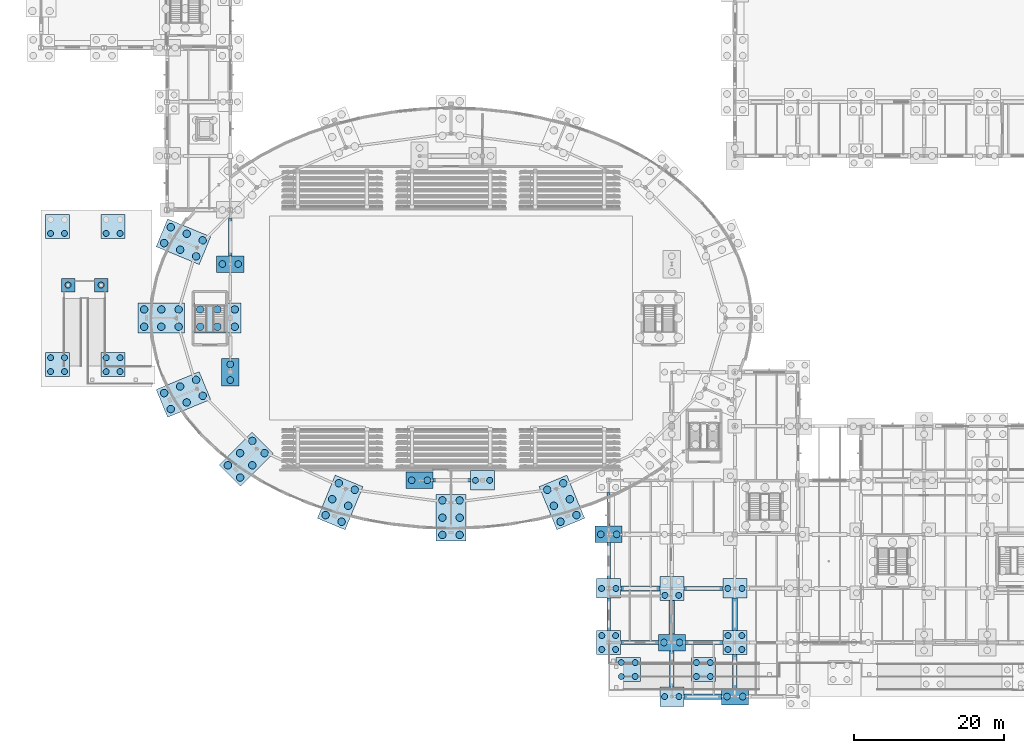
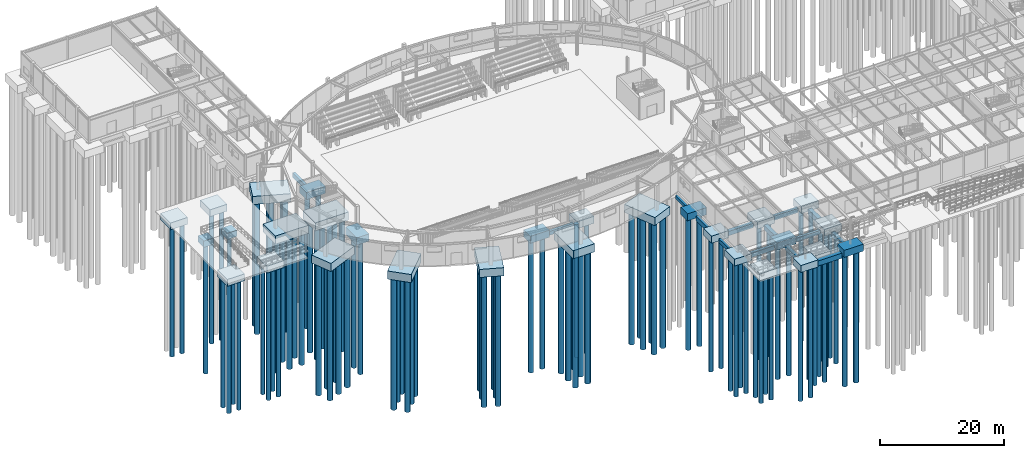
# One storey, part 1 of 93: 100 piles, 43 footings.
"""IFC4 building model written with IfcOpenShell, lengths in metres."""

import ifcopenshell
import ifcopenshell.guid

model = None  # the IFC model being written
_history = None  # IfcOwnerHistory: only IFC2X3 demands one
_inside = {}  # id of a spatial element -> (the spatial element, [elements in it])
_under = {}  # id of a project, library or spatial element -> (it, [spatial elements below it])
_declared = {}  # id of a project -> (the project, [libraries it declares])
_typed = {}  # id of a type object -> (the type object, [elements of that type])
_made_of = {}  # id of a material, layer set ... -> (it, [elements and type objects made of it])


def new_model(schema):
    """Start an empty IFC model of exactly this schema.

    Asked for "IFC4X3", IfcOpenShell would pick the latest addendum, in which some entities
    have other attributes; the version numbers below select the first issue.
    IFC2X3 requires an IfcOwnerHistory on every rooted entity: one is made here for all.
    """
    global model, _history
    if schema == "IFC4X3":
        model = ifcopenshell.file(schema_version=(4, 3, 0, 0))
    else:
        model = ifcopenshell.file(schema=schema)
    _inside.clear()
    _under.clear()
    _declared.clear()
    _typed.clear()
    _made_of.clear()
    _history = None
    if model.schema == "IFC2X3":
        org = make("IfcOrganization", Name="unknown")
        user = make(
            "IfcPersonAndOrganization",
            ThePerson=make("IfcPerson", FamilyName="unknown"),
            TheOrganization=org,
        )
        app = make(
            "IfcApplication",
            ApplicationDeveloper=org,
            Version="unknown",
            ApplicationFullName="unknown",
            ApplicationIdentifier="unknown",
        )
        _history = make(
            "IfcOwnerHistory",
            OwningUser=user,
            OwningApplication=app,
            ChangeAction="ADDED",
            CreationDate=0,
        )
    return model


def make(cls, **values):
    """One entity of the class cls with the attributes given. An attribute that is None is left unset."""
    return model.create_entity(
        cls, **{name: value for name, value in values.items() if value is not None}
    )


def rooted(cls, **values):
    """An entity with a GlobalId (a new one), such as an element, a storey or a relation."""
    return make(cls, GlobalId=ifcopenshell.guid.new(), OwnerHistory=_history, **values)


def si_unit(unit_type, name, prefix=None):
    """IfcSIUnit, for example si_unit("LENGTHUNIT", "METRE", prefix="MILLI")."""
    return make("IfcSIUnit", UnitType=unit_type, Prefix=prefix, Name=name)


def derived_unit(unit_type, elements):
    """IfcDerivedUnit: a product of units, each with its exponent."""
    return make(
        "IfcDerivedUnit",
        Elements=[
            make("IfcDerivedUnitElement", Unit=unit, Exponent=power)
            for unit, power in elements
        ],
        UnitType=unit_type,
    )


def assignment(units):
    """IfcUnitAssignment: the units of a project."""
    return None if units is None else make("IfcUnitAssignment", Units=units)


def point(xyz):
    """IfcCartesianPoint."""
    return None if xyz is None else make("IfcCartesianPoint", Coordinates=xyz)


def direction(xyz):
    """IfcDirection."""
    return None if xyz is None else make("IfcDirection", DirectionRatios=xyz)


def frame(location, z_axis=None, x_axis=None):
    """IfcAxis2Placement3D, a coordinate frame: its origin and axes. An axis left out is left unset."""
    return make(
        "IfcAxis2Placement3D",
        Location=point(location),
        Axis=direction(z_axis),
        RefDirection=direction(x_axis),
    )


def frame_2d(location, x_axis=None):
    """IfcAxis2Placement2D, a coordinate frame in the plane: its origin and x axis."""
    return make(
        "IfcAxis2Placement2D", Location=point(location), RefDirection=direction(x_axis)
    )


def origin():
    """The frame at (0, 0, 0) with its axes left unset."""
    return frame((0.0, 0.0, 0.0))


def origin_2d():
    """The frame at (0, 0) in the plane with its x axis left unset."""
    return frame_2d((0.0, 0.0))


def place(relative_to, where):
    """IfcLocalPlacement: puts the frame where relative to a parent placement (None: the world)."""
    return make(
        "IfcLocalPlacement", PlacementRelTo=relative_to, RelativePlacement=where
    )


def context(
    kind, dimensions, precision=None, world=None, true_north=None, identifier=None
):
    """IfcGeometricRepresentationContext, for example the 3D "Model" context."""
    return make(
        "IfcGeometricRepresentationContext",
        ContextIdentifier=identifier,
        ContextType=kind,
        CoordinateSpaceDimension=dimensions,
        Precision=precision,
        WorldCoordinateSystem=world,
        TrueNorth=true_north,
    )


def subcontext(parent, identifier, kind, view, scale=None):
    """IfcGeometricRepresentationSubContext, for example "Body" below "Model"."""
    return make(
        "IfcGeometricRepresentationSubContext",
        ContextIdentifier=identifier,
        ContextType=kind,
        ParentContext=parent,
        TargetScale=scale,
        TargetView=view,
    )


def project(units=None, contexts=None):
    """IfcProject with its units and contexts."""
    return rooted(
        "IfcProject",
        Name="project",
        RepresentationContexts=contexts,
        UnitsInContext=assignment(units),
    )


def spatial(cls, under=None, at=None, **own):
    """A site, building, storey or space (cls), placed at a placement, below another one or the project."""
    s = rooted(cls, ObjectPlacement=at, **own)
    if under is not None:
        _under.setdefault(under.id(), (under, []))[1].append(s)
    return s


def profile(cls, at=None, kind="AREA", **sizes):
    """A parametric profile (cls). Its sizes go by their IFC names, for example OverallWidth=200.0."""
    return make(cls, ProfileType=kind, Position=at, **sizes)


def rectangle(**sizes):
    """IfcRectangleProfileDef."""
    return profile("IfcRectangleProfileDef", **sizes)


def circle(**sizes):
    """IfcCircleProfileDef."""
    return profile("IfcCircleProfileDef", **sizes)


def extrude(swept, where, along, depth):
    """IfcExtrudedAreaSolid: the profile swept, set in the frame where, extruded along a direction by depth."""
    return make(
        "IfcExtrudedAreaSolid",
        SweptArea=swept,
        Position=where,
        ExtrudedDirection=direction(along),
        Depth=depth,
    )


def shape(context_of_items, identifier, shape_type, items):
    """IfcShapeRepresentation: the items that make up one representation, for example the "Body"."""
    return make(
        "IfcShapeRepresentation",
        ContextOfItems=context_of_items,
        RepresentationIdentifier=identifier,
        RepresentationType=shape_type,
        Items=items,
    )


def material(Name=None, Category=None):
    """IfcMaterial."""
    return make("IfcMaterial", Name=Name, Category=Category)


def material_profile(
    of_material, cross_section, Name=None, Category=None, Priority=None
):
    """IfcMaterialProfile: a cross section and its material."""
    return make(
        "IfcMaterialProfile",
        Name=Name,
        Material=of_material,
        Profile=cross_section,
        Priority=Priority,
        Category=Category,
    )


def profile_set(profiles, Name=None, composite=None):
    """IfcMaterialProfileSet."""
    return make(
        "IfcMaterialProfileSet",
        Name=Name,
        MaterialProfiles=profiles,
        CompositeProfile=composite,
    )


def made_of(thing, what):
    """Note that an element or type object is made of a material, layer set ...; save() writes the relation."""
    if what is not None:
        _made_of.setdefault(what.id(), (what, []))[1].append(thing)
    return thing


def type_object(cls, material=None, **own):
    """A type object (cls), such as IfcWallType, which elements share."""
    return made_of(rooted(cls, **own), material)


def element(
    cls,
    number,
    at=None,
    inside=None,
    cuts=None,
    type_object=None,
    material=None,
    context=None,
    identifier="Body",
    shape_type=None,
    held_by="IfcProductDefinitionShape",
    body=None,
    shapes=None,
    **own,
):
    """One element of the class cls, such as IfcWall. Its Tag is "e" and its number.

    at: its placement. inside: the storey or other place that contains it. cuts: it is an
    opening in that element (IfcRelVoidsElement). A single representation is given by context,
    identifier, shape_type and body (its items); several are given by shapes. held_by: the class
    of the entity that holds the representations. save() writes the other relations.
    """
    e = rooted(cls, Tag="e%d" % number, ObjectPlacement=at, **own)
    if body is not None:
        shapes = [shape(context, identifier, shape_type, body)]
    if shapes is not None:
        e.Representation = make(held_by, Representations=shapes)
    if inside is not None:
        _inside.setdefault(inside.id(), (inside, []))[1].append(e)
    if cuts is not None:
        rooted(
            "IfcRelVoidsElement", RelatingBuildingElement=cuts, RelatedOpeningElement=e
        )
    if type_object is not None:
        _typed.setdefault(type_object.id(), (type_object, []))[1].append(e)
    return made_of(e, material)


def aggregate(whole, parts):
    """IfcRelAggregates: a whole, such as a stair, and the parts it consists of."""
    return rooted("IfcRelAggregates", RelatingObject=whole, RelatedObjects=parts)


def save(model, path):
    """Write the relations noted so far, then the file.

    IfcRelAggregates (storeys below a building ...), IfcRelContainedInSpatialStructure (elements
    in a storey), IfcRelDefinesByType, IfcRelAssociatesMaterial and IfcRelDeclares: one each for
    every whole, place, type object, material and project.
    """
    for whole, parts in _under.values():
        aggregate(whole, parts)
    for where, things in _inside.values():
        rooted(
            "IfcRelContainedInSpatialStructure",
            RelatedElements=things,
            RelatingStructure=where,
        )
    for kind, things in _typed.values():
        rooted("IfcRelDefinesByType", RelatedObjects=things, RelatingType=kind)
    for what, things in _made_of.values():
        rooted("IfcRelAssociatesMaterial", RelatedObjects=things, RelatingMaterial=what)
    for by, libraries in _declared.values():
        rooted("IfcRelDeclares", RelatingContext=by, RelatedDefinitions=libraries)
    model.write(path)


model = new_model("IFC4")

# Units and contexts
model_context = context("Model", 3, precision=1e-05, world=origin(), true_north=direction((0.0, 1.0)))
body_context = subcontext(model_context, "Body", "Model", "MODEL_VIEW")
ifc_project = project(units=[si_unit("LENGTHUNIT", "METRE"), si_unit("AREAUNIT", "SQUARE_METRE"), si_unit("VOLUMEUNIT", "CUBIC_METRE"), si_unit("PLANEANGLEUNIT", "RADIAN"), si_unit("MASSUNIT", "GRAM", prefix="KILO"), derived_unit("THERMALTRANSMITTANCEUNIT", [(si_unit("MASSUNIT", "GRAM", prefix="KILO"), 1), (si_unit("TIMEUNIT", "SECOND"), -3), (si_unit("THERMODYNAMICTEMPERATUREUNIT", "KELVIN"), -1)])], contexts=[model_context])

# Site, building, storey
site_placement = place(None, origin())
site = spatial("IfcSite", under=ifc_project, at=site_placement, CompositionType="ELEMENT")
building_placement = place(site_placement, origin())
building = spatial("IfcBuilding", under=site, at=building_placement, Name="Kharveza Railside Sports Centre", CompositionType="ELEMENT")
storey_placement = place(building_placement, origin())
storey = spatial("IfcBuildingStorey", under=building, at=storey_placement, Name="L00", CompositionType="ELEMENT", Elevation=0.0)

# Footings
ifc_material = material(Name="Concrete C35/45", Category="concrete")
ifc_material_profile_1 = material_profile(ifc_material, rectangle(XDim=0.60009765625, YDim=0.800048828125, at=origin_2d()), Name="GB 600x800")
ifc_profile_set_1 = profile_set([ifc_material_profile_1], Name="Concrete C35/45")
footing_type_1 = type_object("IfcFootingType", Name="FT-GB01", PredefinedType="FOOTING_BEAM", material=ifc_profile_set_1)
footing_1_placement = place(storey_placement, frame((84.0, 1.302978515625, -1.800048828125), z_axis=(0.0, 1.0, 0.0), x_axis=(-1.0, 0.0, 0.0)))
element("IfcFooting", 1, at=footing_1_placement, inside=storey, type_object=footing_type_1, Name="GB-NS-031", PredefinedType="FOOTING_BEAM", context=body_context, shape_type="SweptSolid", body=[
    extrude(rectangle(XDim=0.60009765625, YDim=0.800048828125, at=origin_2d()), origin(), (0.0, 0.0, 1.0), 4.7939453125),
])
ifc_material_profile_2 = material_profile(ifc_material, rectangle(XDim=0.5, YDim=0.75, at=origin_2d()), Name="GB 500x750")
ifc_profile_set_2 = profile_set([ifc_material_profile_2], Name="Concrete C35/45")
footing_type_2 = type_object("IfcFootingType", Name="FT-GB02", PredefinedType="FOOTING_BEAM", material=ifc_profile_set_2)
for number, where, z_axis, x_axis, name in (
    (2, (52.202880859375, 28.800048828125, -1.77490234375), (1.0, 0.0, 0.0), (0.0, 1.0, 0.0), "GB-EW-022"),
    (3, (85.802978515625, 7.199951171875, -1.77490234375), (1.0, 0.0, 0.0), (0.0, 1.0, 0.0), "GB-EW-032"),
):
    element("IfcFooting", number, at=place(storey_placement, frame(where, z_axis=z_axis, x_axis=x_axis)), inside=storey, type_object=footing_type_2, Name=name, PredefinedType="FOOTING_BEAM", context=body_context, shape_type="SweptSolid", body=[
        extrude(rectangle(XDim=0.5, YDim=0.75, at=origin_2d()), origin(), (0.0, 0.0, 1.0), 4.994140625),
    ])
ifc_material_profile_3 = material_profile(ifc_material, rectangle(XDim=0.699951171875, YDim=0.89990234375, at=origin_2d()), Name="GB 700x900")
ifc_profile_set_3 = profile_set([ifc_material_profile_3], Name="Concrete C35/45")
footing_type_3 = type_object("IfcFootingType", Name="FT-GB03", PredefinedType="FOOTING_BEAM", material=ifc_profile_set_3)
footing_2_placement = place(storey_placement, frame((84.0, 8.302978515625, -1.85009765625), z_axis=(0.0, 1.0, 0.0), x_axis=(-1.0, 0.0, 0.0)))
element("IfcFooting", 4, at=footing_2_placement, inside=storey, type_object=footing_type_3, Name="GB-NS-033", PredefinedType="FOOTING_BEAM", context=body_context, shape_type="SweptSolid", body=[
    extrude(rectangle(XDim=0.699951171875, YDim=0.89990234375, at=origin_2d()), origin(), (0.0, 0.0, 1.0), 4.494140625),
])
ifc_material_profile_4 = material_profile(ifc_material, rectangle(XDim=0.550048828125, YDim=0.85009765625, at=origin_2d()), Name="GB 550x850")
ifc_profile_set_4 = profile_set([ifc_material_profile_4], Name="Concrete C35/45")
footing_type_4 = type_object("IfcFootingType", Name="FT-GB04", PredefinedType="FOOTING_BEAM", material=ifc_profile_set_4)
footing_3_placement = place(storey_placement, frame((77.202880859375, 7.199951171875, -1.824951171875), z_axis=(1.0, 0.0, 0.0), x_axis=(0.0, 1.0, 0.0)))
element("IfcFooting", 5, at=footing_3_placement, inside=storey, type_object=footing_type_4, Name="GB-EW-024", PredefinedType="FOOTING_BEAM", context=body_context, shape_type="SweptSolid", body=[
    extrude(rectangle(XDim=0.550048828125, YDim=0.85009765625, at=origin_2d()), origin(), (0.0, 0.0, 1.0), 4.994140625),
])
footing_4_placement = place(storey_placement, frame((85.60302734375, 14.39990234375, -1.824951171875), z_axis=(1.0, 0.0, 0.0), x_axis=(0.0, 1.0, 0.0)))
element("IfcFooting", 6, at=footing_4_placement, inside=storey, type_object=footing_type_4, Name="GB-EW-034", PredefinedType="FOOTING_BEAM", context=body_context, shape_type="SweptSolid", body=[
    extrude(rectangle(XDim=0.550048828125, YDim=0.85009765625, at=origin_2d()), origin(), (0.0, 0.0, 1.0), 5.194091796875),
])
ifc_material_profile_5 = material_profile(ifc_material, rectangle(XDim=0.449951171875, YDim=0.699951171875, at=origin_2d()), Name="GB 450x700")
ifc_profile_set_5 = profile_set([ifc_material_profile_5], Name="Concrete C35/45")
footing_type_5 = type_object("IfcFootingType", Name="FT-GB05", PredefinedType="FOOTING_BEAM", material=ifc_profile_set_5)
footing_5_placement = place(storey_placement, frame((75.60009765625, 8.802978515625, -1.75), z_axis=(0.0, 1.0, 0.0), x_axis=(-1.0, 0.0, 0.0)))
element("IfcFooting", 7, at=footing_5_placement, inside=storey, type_object=footing_type_5, Name="GB-NS-025", PredefinedType="FOOTING_BEAM", context=body_context, shape_type="SweptSolid", body=[
    extrude(rectangle(XDim=0.449951171875, YDim=0.699951171875, at=origin_2d()), origin(), (0.0, 0.0, 1.0), 4.2939453125),
])
ifc_material_profile_6 = material_profile(ifc_material, rectangle(XDim=0.64990234375, YDim=0.85009765625, at=origin_2d()), Name="GB 650x850")
ifc_profile_set_6 = profile_set([ifc_material_profile_6], Name="Concrete C35/45")
footing_type_6 = type_object("IfcFootingType", Name="FT-GB06", PredefinedType="FOOTING_BEAM", material=ifc_profile_set_6)
footing_6_placement = place(storey_placement, frame((77.202880859375, 14.39990234375, -1.824951171875), z_axis=(1.0, 0.0, 0.0), x_axis=(0.0, 1.0, 0.0)))
element("IfcFooting", 8, at=footing_6_placement, inside=storey, type_object=footing_type_6, Name="GB-EW-026", PredefinedType="FOOTING_BEAM", context=body_context, shape_type="SweptSolid", body=[
    extrude(rectangle(XDim=0.64990234375, YDim=0.85009765625, at=origin_2d()), origin(), (0.0, 0.0, 1.0), 5.194091796875),
])
ifc_material_profile_7 = material_profile(ifc_material, rectangle(XDim=0.5, YDim=0.85009765625, at=origin_2d()), Name="GB 500x850")
ifc_profile_set_7 = profile_set([ifc_material_profile_7], Name="Concrete C35/45")
footing_type_7 = type_object("IfcFootingType", Name="FT-GB07", PredefinedType="FOOTING_BEAM", material=ifc_profile_set_7)
footing_7_placement = place(storey_placement, frame((25.199951171875, 58.702880859375, -1.824951171875), z_axis=(0.0, 1.0, 0.0), x_axis=(-1.0, 0.0, 0.0)))
element("IfcFooting", 9, at=footing_7_placement, inside=storey, type_object=footing_type_7, Name="GB-NS-017", PredefinedType="FOOTING_BEAM", context=body_context, shape_type="SweptSolid", body=[
    extrude(rectangle(XDim=0.5, YDim=0.85009765625, at=origin_2d()), origin(), (0.0, 0.0, 1.0), 4.994140625),
])
footing_8_placement = place(storey_placement, frame((75.60009765625, 15.702880859375, -1.824951171875), z_axis=(0.0, 1.0, 0.0), x_axis=(-1.0, 0.0, 0.0)))
element("IfcFooting", 10, at=footing_8_placement, inside=storey, type_object=footing_type_7, Name="GB-NS-027", PredefinedType="FOOTING_BEAM", context=body_context, shape_type="SweptSolid", body=[
    extrude(rectangle(XDim=0.5, YDim=0.85009765625, at=origin_2d()), origin(), (0.0, 0.0, 1.0), 4.794189453125),
])
ifc_material_profile_8 = material_profile(ifc_material, rectangle(XDim=0.60009765625, YDim=0.949951171875, at=origin_2d()), Name="GB 600x950")
ifc_profile_set_8 = profile_set([ifc_material_profile_8], Name="Concrete C35/45")
footing_type_8 = type_object("IfcFootingType", Name="FT-GB08", PredefinedType="FOOTING_BEAM", material=ifc_profile_set_8)
footing_9_placement = place(storey_placement, frame((92.39990234375, 1.10302734375, -1.875), z_axis=(0.0, 1.0, 0.0), x_axis=(-1.0, 0.0, 0.0)))
element("IfcFooting", 11, at=footing_9_placement, inside=storey, type_object=footing_type_8, Name="GB-NS-038", PredefinedType="FOOTING_BEAM", context=body_context, shape_type="SweptSolid", body=[
    extrude(rectangle(XDim=0.60009765625, YDim=0.949951171875, at=origin_2d()), origin(), (0.0, 0.0, 1.0), 4.493896484375),
])
ifc_material_profile_9 = material_profile(ifc_material, rectangle(XDim=0.39990234375, YDim=0.64990234375, at=origin_2d()), Name="GB 400x650")
ifc_profile_set_9 = profile_set([ifc_material_profile_9], Name="Concrete C35/45")
footing_type_9 = type_object("IfcFootingType", Name="FT-GB09", PredefinedType="FOOTING_BEAM", material=ifc_profile_set_9)
footing_10_placement = place(storey_placement, frame((75.60009765625, 22.702880859375, -1.72509765625), z_axis=(0.0, 1.0, 0.0), x_axis=(-1.0, 0.0, 0.0)))
element("IfcFooting", 12, at=footing_10_placement, inside=storey, type_object=footing_type_9, Name="GB-NS-029", PredefinedType="FOOTING_BEAM", context=body_context, shape_type="SweptSolid", body=[
    extrude(rectangle(XDim=0.39990234375, YDim=0.64990234375, at=origin_2d()), origin(), (0.0, 0.0, 1.0), 4.494140625),
])
ifc_material_profile_10 = material_profile(ifc_material, rectangle(XDim=0.75, YDim=1.0, at=origin_2d()), Name="GB 750x1000")
ifc_profile_set_10 = profile_set([ifc_material_profile_10], Name="Concrete C35/45")
footing_type_10 = type_object("IfcFootingType", Name="FT-GB10", PredefinedType="FOOTING_BEAM", material=ifc_profile_set_10)
footing_11_placement = place(storey_placement, frame((85.60302734375, 0.0, -1.89990234375), z_axis=(1.0, 0.0, 0.0), x_axis=(0.0, 1.0, 0.0)))
element("IfcFooting", 13, at=footing_11_placement, inside=storey, type_object=footing_type_10, Name="GB-EW-030", PredefinedType="FOOTING_BEAM", context=body_context, shape_type="SweptSolid", body=[
    extrude(rectangle(XDim=0.75, YDim=1.0, at=origin_2d()), origin(), (0.0, 0.0, 1.0), 4.993896484375),
])
footing_12_placement = place(storey_placement, frame((92.39990234375, 8.802978515625, -1.89990234375), z_axis=(0.0, 1.0, 0.0), x_axis=(-1.0, 0.0, 0.0)))
element("IfcFooting", 14, at=footing_12_placement, inside=storey, type_object=footing_type_10, Name="GB-NS-040", PredefinedType="FOOTING_BEAM", context=body_context, shape_type="SweptSolid", body=[
    extrude(rectangle(XDim=0.75, YDim=1.0, at=origin_2d()), origin(), (0.0, 0.0, 1.0), 4.2939453125),
])
footing_type_11 = type_object("IfcFootingType", Name="FT-PC01", PredefinedType="PILE_CAP", material=ifc_material)
for number, where, z_axis, x_axis, name in (
    (15, (58.800048828125, 28.800048828125, -1.820068359375), (0.0, 0.0, 1.0), (1.0, 0.0, 0.0), "FCAP-BOWL-03"),
    (16, (75.60009765625, 14.39990234375, -1.820068359375), (0.0, 0.0, 1.0), (1.0, 0.0, 0.0), "FCAP-GRD-022"),
    (17, (84.0, 0.0, -1.820068359375), (0.0, 0.0, 1.0), (1.0, 0.0, 0.0), "FCAP-GRD-025"),
    (18, (92.39990234375, 14.39990234375, -1.820068359375), (0.0, 0.0, 1.0), (1.0, 0.0, 0.0), "FCAP-GRD-034"),
):
    element("IfcFooting", number, at=place(storey_placement, frame(where, z_axis=z_axis, x_axis=x_axis)), inside=storey, type_object=footing_type_11, Name=name, PredefinedType="PILE_CAP", context=body_context, shape_type="SweptSolid", body=[
        extrude(rectangle(XDim=3.199951171875, YDim=2.60009765625, at=origin_2d()), origin(), (0.0, 0.0, 1.0), 1.39990234375),
    ])
footing_type_12 = type_object("IfcFootingType", Name="FT-PC02", PredefinedType="PILE_CAP", material=ifc_material)
for number, where, z_axis, x_axis, name in (
    (19, (50.39990234375, 28.800048828125, -1.820068359375), (0.0, 0.0, 1.0), (1.0, 0.0, 0.0), "FCAP-BOWL-01"),
    (20, (25.199951171875, 57.60009765625, -1.820068359375), (0.0, 0.0, 1.0), (1.0, 0.0, 0.0), "FCAP-BOWL-07"),
    (21, (75.60009765625, 21.60009765625, -1.820068359375), (0.0, 0.0, 1.0), (1.0, 0.0, 0.0), "FCAP-GRD-023"),
    (22, (84.0, 7.199951171875, -1.820068359375), (0.0, 0.0, 1.0), (1.0, 0.0, 0.0), "FCAP-GRD-026"),
    (23, (92.39990234375, 0.0, -1.820068359375), (0.0, 0.0, 1.0), (1.0, 0.0, 0.0), "FCAP-GRD-032"),
):
    element("IfcFooting", number, at=place(storey_placement, frame(where, z_axis=z_axis, x_axis=x_axis)), inside=storey, type_object=footing_type_12, Name=name, PredefinedType="PILE_CAP", context=body_context, shape_type="SweptSolid", body=[
        extrude(rectangle(XDim=3.60009765625, YDim=2.199951171875, at=origin_2d()), origin(), (0.0, 0.0, 1.0), 1.39990234375),
    ])
footing_type_13 = type_object("IfcFootingType", Name="FT-PC03", PredefinedType="PILE_CAP", material=ifc_material)
footing_13_placement = place(storey_placement, frame((25.199951171875, 43.199951171875, -1.8701171875), z_axis=(0.0, 0.0, 1.0), x_axis=(1.0, 0.0, 0.0)))
element("IfcFooting", 24, at=footing_13_placement, inside=storey, type_object=footing_type_13, Name="FCAP-BOWL-05", PredefinedType="PILE_CAP", context=body_context, shape_type="SweptSolid", body=[
    extrude(rectangle(XDim=2.300048828125, YDim=3.64990234375, at=origin_2d()), origin(), (0.0, 0.0, 1.0), 1.449951171875),
])
footing_type_14 = type_object("IfcFootingType", Name="FT-PC06", PredefinedType="PILE_CAP", material=ifc_material)
for number, where, z_axis, x_axis, name in (
    (25, (18.96142578125, 60.56982421875, -2.02001953125), (0.0, 0.0, 1.0), (-0.923879532511, 0.382683432365, 0.0), "FCAP-DRUM-08"),
    (26, (16.02490234375, 50.39990234375, -2.02001953125), (0.0, 0.0, 1.0), (-1.0, 0.0, 0.0), "FCAP-DRUM-09"),
    (27, (18.96142578125, 40.230224609375, -2.02001953125), (0.0, 0.0, 1.0), (-0.923879532511, -0.382683432365, 0.0), "FCAP-DRUM-10"),
    (28, (27.3232421875, 31.608642578125, -2.02001953125), (0.0, 0.0, 1.0), (-0.707106781187, -0.707106781187, 0.0), "FCAP-DRUM-11"),
    (29, (39.837890625, 25.847900390625, -2.02001953125), (0.0, 0.0, 1.0), (-0.382683432365, -0.923879532511, 0.0), "FCAP-DRUM-12"),
    (30, (54.60009765625, 23.824951171875, -2.02001953125), (0.0, 0.0, 1.0), (0.0, -1.0, 0.0), "FCAP-DRUM-13"),
    (31, (69.362060546875, 25.847900390625, -2.02001953125), (0.0, 0.0, 1.0), (0.382683432365, -0.923879532511, 0.0), "FCAP-DRUM-14"),
    (32, (23.5, 50.39990234375, -2.02001953125), (0.0, 0.0, 1.0), (1.0, 0.0, 0.0), "FCAP-CORE-07"),
):
    element("IfcFooting", number, at=place(storey_placement, frame(where, z_axis=z_axis, x_axis=x_axis)), inside=storey, type_object=footing_type_14, Name=name, PredefinedType="PILE_CAP", context=body_context, shape_type="SweptSolid", body=[
        extrude(rectangle(XDim=6.199951171875, YDim=4.0, at=origin_2d()), origin(), (0.0, 0.0, 1.0), 1.60009765625),
    ])
footing_type_15 = type_object("IfcFootingType", Name="FT-PC10", PredefinedType="PILE_CAP", material=ifc_material)
for number, where, z_axis, x_axis, name in (
    (33, (78.199951171875, 3.60009765625, -3.41015625), (0.0, 0.0, 1.0), (1.0, 0.0, 0.0), "FCAP-APR-1"),
    (34, (88.199951171875, 3.60009765625, -3.41015625), (0.0, 0.0, 1.0), (1.0, 0.0, 0.0), "FCAP-APR-2"),
    (35, (2.199951171875, 44.199951171875, -2.510009765625), (0.0, 0.0, 1.0), (1.0, 0.0, 0.0), "FCAP-APRW-1"),
    (36, (2.199951171875, 62.60009765625, -2.510009765625), (0.0, 0.0, 1.0), (1.0, 0.0, 0.0), "FCAP-APRW-2"),
    (37, (9.60009765625, 44.199951171875, -2.510009765625), (0.0, 0.0, 1.0), (1.0, 0.0, 0.0), "FCAP-APRW-3"),
    (38, (9.60009765625, 62.60009765625, -2.510009765625), (0.0, 0.0, 1.0), (1.0, 0.0, 0.0), "FCAP-APRW-4"),
    (39, (75.60009765625, 7.199951171875, -1.77001953125), (0.0, 0.0, 1.0), (1.0, 0.0, 0.0), "FCAP-GRD-021"),
    (40, (84.0, 14.39990234375, -1.77001953125), (0.0, 0.0, 1.0), (1.0, 0.0, 0.0), "FCAP-GRD-027"),
    (41, (92.39990234375, 7.199951171875, -1.77001953125), (0.0, 0.0, 1.0), (1.0, 0.0, 0.0), "FCAP-GRD-033"),
):
    element("IfcFooting", number, at=place(storey_placement, frame(where, z_axis=z_axis, x_axis=x_axis)), inside=storey, type_object=footing_type_15, Name=name, PredefinedType="PILE_CAP", context=body_context, shape_type="SweptSolid", body=[
        extrude(rectangle(XDim=3.199951171875, YDim=3.199951171875, at=origin_2d()), origin(), (0.0, 0.0, 1.0), 1.35009765625),
    ])
footing_type_16 = type_object("IfcFootingType", Name="FT-PC13", PredefinedType="PILE_CAP", material=ifc_material)
for number, where, z_axis, x_axis, name in (
    (42, (3.60009765625, 54.800048828125, -2.409912109375), (0.0, 0.0, 1.0), (1.0, 0.0, 0.0), "FCAP-APRW-5"),
    (43, (8.0, 54.800048828125, -2.409912109375), (0.0, 0.0, 1.0), (1.0, 0.0, 0.0), "FCAP-APRW-6"),
):
    element("IfcFooting", number, at=place(storey_placement, frame(where, z_axis=z_axis, x_axis=x_axis)), inside=storey, type_object=footing_type_16, Name=name, PredefinedType="PILE_CAP", context=body_context, shape_type="SweptSolid", body=[
        extrude(rectangle(XDim=1.800048828125, YDim=1.800048828125, at=origin_2d()), origin(), (0.0, 0.0, 1.0), 1.25),
    ])

# Piles
ifc_material_profile_11 = material_profile(ifc_material, circle(Radius=0.5, at=origin_2d()), Name="PILE D1000")
ifc_profile_set_11 = profile_set([ifc_material_profile_11], Name="Concrete C35/45")
pile_type_1 = type_object("IfcPileType", Name="PL-B1000", PredefinedType="BORED", material=ifc_profile_set_11)
for number, where, z_axis, x_axis, name in (
    (44, (21.5263671875, 60.752197265625, -1.919921875), (0.0, 0.0, -1.0), (1.0, 0.0, 0.0), "FCAP-DRUM-08-P02-PL1"),
    (45, (19.401611328125, 61.63232421875, -1.919921875), (0.0, 0.0, -1.0), (1.0, 0.0, 0.0), "FCAP-DRUM-08-P02-PL2"),
    (46, (17.276611328125, 62.512451171875, -1.919921875), (0.0, 0.0, -1.0), (1.0, 0.0, 0.0), "FCAP-DRUM-08-P02-PL3"),
    (47, (20.646240234375, 58.627197265625, -1.919921875), (0.0, 0.0, -1.0), (1.0, 0.0, 0.0), "FCAP-DRUM-08-P02-PL4"),
    (48, (18.521240234375, 59.50732421875, -1.919921875), (0.0, 0.0, -1.0), (1.0, 0.0, 0.0), "FCAP-DRUM-08-P02-PL5"),
    (49, (16.396484375, 60.387451171875, -1.919921875), (0.0, 0.0, -1.0), (1.0, 0.0, 0.0), "FCAP-DRUM-08-P02-PL6"),
    (50, (18.324951171875, 51.550048828125, -1.919921875), (0.0, 0.0, -1.0), (1.0, 0.0, 0.0), "FCAP-DRUM-09-P02-PL1"),
    (51, (16.02490234375, 51.550048828125, -1.919921875), (0.0, 0.0, -1.0), (1.0, 0.0, 0.0), "FCAP-DRUM-09-P02-PL2"),
    (52, (13.72509765625, 51.550048828125, -1.919921875), (0.0, 0.0, -1.0), (1.0, 0.0, 0.0), "FCAP-DRUM-09-P02-PL3"),
    (53, (18.324951171875, 49.25, -1.919921875), (0.0, 0.0, -1.0), (1.0, 0.0, 0.0), "FCAP-DRUM-09-P02-PL4"),
    (54, (16.02490234375, 49.25, -1.919921875), (0.0, 0.0, -1.0), (1.0, 0.0, 0.0), "FCAP-DRUM-09-P02-PL5"),
    (55, (13.72509765625, 49.25, -1.919921875), (0.0, 0.0, -1.0), (1.0, 0.0, 0.0), "FCAP-DRUM-09-P02-PL6"),
    (56, (20.646240234375, 42.1728515625, -1.919921875), (0.0, 0.0, -1.0), (1.0, 0.0, 0.0), "FCAP-DRUM-10-P02-PL1"),
    (57, (18.521240234375, 41.292724609375, -1.919921875), (0.0, 0.0, -1.0), (1.0, 0.0, 0.0), "FCAP-DRUM-10-P02-PL2"),
    (58, (16.396484375, 40.41259765625, -1.919921875), (0.0, 0.0, -1.0), (1.0, 0.0, 0.0), "FCAP-DRUM-10-P02-PL3"),
    (59, (21.5263671875, 40.0478515625, -1.919921875), (0.0, 0.0, -1.0), (1.0, 0.0, 0.0), "FCAP-DRUM-10-P02-PL4"),
    (60, (19.401611328125, 39.167724609375, -1.919921875), (0.0, 0.0, -1.0), (1.0, 0.0, 0.0), "FCAP-DRUM-10-P02-PL5"),
    (61, (17.276611328125, 38.28759765625, -1.919921875), (0.0, 0.0, -1.0), (1.0, 0.0, 0.0), "FCAP-DRUM-10-P02-PL6"),
    (62, (28.136474609375, 34.048095703125, -1.919921875), (0.0, 0.0, -1.0), (1.0, 0.0, 0.0), "FCAP-DRUM-11-P02-PL1"),
    (63, (26.510009765625, 32.421875, -1.919921875), (0.0, 0.0, -1.0), (1.0, 0.0, 0.0), "FCAP-DRUM-11-P02-PL2"),
    (64, (24.8837890625, 30.79541015625, -1.919921875), (0.0, 0.0, -1.0), (1.0, 0.0, 0.0), "FCAP-DRUM-11-P02-PL3"),
    (65, (29.7626953125, 32.421875, -1.919921875), (0.0, 0.0, -1.0), (1.0, 0.0, 0.0), "FCAP-DRUM-11-P02-PL4"),
    (66, (28.136474609375, 30.79541015625, -1.919921875), (0.0, 0.0, -1.0), (1.0, 0.0, 0.0), "FCAP-DRUM-11-P02-PL5"),
    (67, (26.510009765625, 29.169189453125, -1.919921875), (0.0, 0.0, -1.0), (1.0, 0.0, 0.0), "FCAP-DRUM-11-P02-PL6"),
    (68, (39.65576171875, 28.412841796875, -1.919921875), (0.0, 0.0, -1.0), (1.0, 0.0, 0.0), "FCAP-DRUM-12-P02-PL1"),
    (69, (38.775390625, 26.2880859375, -1.919921875), (0.0, 0.0, -1.0), (1.0, 0.0, 0.0), "FCAP-DRUM-12-P02-PL2"),
    (70, (37.8955078125, 24.1630859375, -1.919921875), (0.0, 0.0, -1.0), (1.0, 0.0, 0.0), "FCAP-DRUM-12-P02-PL3"),
    (71, (41.780517578125, 27.53271484375, -1.919921875), (0.0, 0.0, -1.0), (1.0, 0.0, 0.0), "FCAP-DRUM-12-P02-PL4"),
    (72, (40.900390625, 25.40771484375, -1.919921875), (0.0, 0.0, -1.0), (1.0, 0.0, 0.0), "FCAP-DRUM-12-P02-PL5"),
    (73, (40.020263671875, 23.282958984375, -1.919921875), (0.0, 0.0, -1.0), (1.0, 0.0, 0.0), "FCAP-DRUM-12-P02-PL6"),
    (74, (53.449951171875, 26.125, -1.919921875), (0.0, 0.0, -1.0), (1.0, 0.0, 0.0), "FCAP-DRUM-13-P02-PL1"),
    (75, (53.449951171875, 23.824951171875, -1.919921875), (0.0, 0.0, -1.0), (1.0, 0.0, 0.0), "FCAP-DRUM-13-P02-PL2"),
    (76, (53.449951171875, 21.52490234375, -1.919921875), (0.0, 0.0, -1.0), (1.0, 0.0, 0.0), "FCAP-DRUM-13-P02-PL3"),
    (77, (55.75, 26.125, -1.919921875), (0.0, 0.0, -1.0), (1.0, 0.0, 0.0), "FCAP-DRUM-13-P02-PL4"),
    (78, (55.75, 23.824951171875, -1.919921875), (0.0, 0.0, -1.0), (1.0, 0.0, 0.0), "FCAP-DRUM-13-P02-PL5"),
    (79, (55.75, 21.52490234375, -1.919921875), (0.0, 0.0, -1.0), (1.0, 0.0, 0.0), "FCAP-DRUM-13-P02-PL6"),
    (80, (67.41943359375, 27.53271484375, -1.919921875), (0.0, 0.0, -1.0), (1.0, 0.0, 0.0), "FCAP-DRUM-14-P02-PL1"),
    (81, (68.299560546875, 25.40771484375, -1.919921875), (0.0, 0.0, -1.0), (1.0, 0.0, 0.0), "FCAP-DRUM-14-P02-PL2"),
    (82, (69.1796875, 23.282958984375, -1.919921875), (0.0, 0.0, -1.0), (1.0, 0.0, 0.0), "FCAP-DRUM-14-P02-PL3"),
    (83, (69.544189453125, 28.412841796875, -1.919921875), (0.0, 0.0, -1.0), (1.0, 0.0, 0.0), "FCAP-DRUM-14-P02-PL4"),
    (84, (70.424560546875, 26.2880859375, -1.919921875), (0.0, 0.0, -1.0), (1.0, 0.0, 0.0), "FCAP-DRUM-14-P02-PL5"),
    (85, (71.3046875, 24.1630859375, -1.919921875), (0.0, 0.0, -1.0), (1.0, 0.0, 0.0), "FCAP-DRUM-14-P02-PL6"),
    (86, (21.199951171875, 49.25, -1.919921875), (0.0, 0.0, -1.0), (1.0, 0.0, 0.0), "FCAP-CORE-07-P02-PL1"),
    (87, (23.5, 49.25, -1.919921875), (0.0, 0.0, -1.0), (1.0, 0.0, 0.0), "FCAP-CORE-07-P02-PL2"),
    (88, (25.800048828125, 49.25, -1.919921875), (0.0, 0.0, -1.0), (1.0, 0.0, 0.0), "FCAP-CORE-07-P02-PL3"),
    (89, (21.199951171875, 51.550048828125, -1.919921875), (0.0, 0.0, -1.0), (1.0, 0.0, 0.0), "FCAP-CORE-07-P02-PL4"),
    (90, (23.5, 51.550048828125, -1.919921875), (0.0, 0.0, -1.0), (1.0, 0.0, 0.0), "FCAP-CORE-07-P02-PL5"),
    (91, (25.800048828125, 51.550048828125, -1.919921875), (0.0, 0.0, -1.0), (1.0, 0.0, 0.0), "FCAP-CORE-07-P02-PL6"),
):
    element("IfcPile", number, at=place(storey_placement, frame(where, z_axis=z_axis, x_axis=x_axis)), inside=storey, type_object=pile_type_1, Name=name, PredefinedType="BORED", context=body_context, shape_type="SweptSolid", body=[
        extrude(circle(Radius=0.5, at=origin_2d()), origin(), (0.0, 0.0, 1.0), 26.080078125),
    ])
ifc_material_profile_12 = material_profile(ifc_material, circle(Radius=0.39990234375, at=origin_2d()), Name="PILE D800")
ifc_profile_set_12 = profile_set([ifc_material_profile_12], Name="Concrete C35/45")
pile_type_2 = type_object("IfcPileType", Name="PL-B800", PredefinedType="BORED", material=ifc_profile_set_12)
for number, where, z_axis, x_axis, name in (
    (92, (57.85009765625, 28.800048828125, -1.719970703125), (0.0, 0.0, -1.0), (1.0, 0.0, 0.0), "FCAP-BOWL-03-P04-PL1"),
    (93, (59.75, 28.800048828125, -1.719970703125), (0.0, 0.0, -1.0), (1.0, 0.0, 0.0), "FCAP-BOWL-03-P04-PL2"),
):
    element("IfcPile", number, at=place(storey_placement, frame(where, z_axis=z_axis, x_axis=x_axis)), inside=storey, type_object=pile_type_2, Name=name, PredefinedType="BORED", context=body_context, shape_type="SweptSolid", body=[
        extrude(circle(Radius=0.39990234375, at=origin_2d()), origin(), (0.0, 0.0, 1.0), 26.280029296875),
    ])
for number, where, z_axis, x_axis, name in (
    (94, (77.27490234375, 2.675048828125, -3.31005859375), (0.0, 0.0, -1.0), (1.0, 0.0, 0.0), "FCAP-APR-1-P04-PL1"),
    (95, (79.125, 2.675048828125, -3.31005859375), (0.0, 0.0, -1.0), (1.0, 0.0, 0.0), "FCAP-APR-1-P04-PL2"),
    (96, (77.27490234375, 4.52490234375, -3.31005859375), (0.0, 0.0, -1.0), (1.0, 0.0, 0.0), "FCAP-APR-1-P04-PL3"),
    (97, (79.125, 4.52490234375, -3.31005859375), (0.0, 0.0, -1.0), (1.0, 0.0, 0.0), "FCAP-APR-1-P04-PL4"),
    (98, (87.27490234375, 2.675048828125, -3.31005859375), (0.0, 0.0, -1.0), (1.0, 0.0, 0.0), "FCAP-APR-2-P04-PL1"),
    (99, (89.125, 2.675048828125, -3.31005859375), (0.0, 0.0, -1.0), (1.0, 0.0, 0.0), "FCAP-APR-2-P04-PL2"),
    (100, (87.27490234375, 4.52490234375, -3.31005859375), (0.0, 0.0, -1.0), (1.0, 0.0, 0.0), "FCAP-APR-2-P04-PL3"),
    (101, (89.125, 4.52490234375, -3.31005859375), (0.0, 0.0, -1.0), (1.0, 0.0, 0.0), "FCAP-APR-2-P04-PL4"),
):
    element("IfcPile", number, at=place(storey_placement, frame(where, z_axis=z_axis, x_axis=x_axis)), inside=storey, type_object=pile_type_2, Name=name, PredefinedType="BORED", context=body_context, shape_type="SweptSolid", body=[
        extrude(circle(Radius=0.39990234375, at=origin_2d()), origin(), (0.0, 0.0, 1.0), 24.68994140625),
    ])
for number, where, z_axis, x_axis, name in (
    (102, (1.27490234375, 43.27490234375, -2.409912109375), (0.0, 0.0, -1.0), (1.0, 0.0, 0.0), "FCAP-APRW-1-P04-PL1"),
    (103, (3.125, 43.27490234375, -2.409912109375), (0.0, 0.0, -1.0), (1.0, 0.0, 0.0), "FCAP-APRW-1-P04-PL2"),
    (104, (1.27490234375, 45.125, -2.409912109375), (0.0, 0.0, -1.0), (1.0, 0.0, 0.0), "FCAP-APRW-1-P04-PL3"),
    (105, (3.125, 45.125, -2.409912109375), (0.0, 0.0, -1.0), (1.0, 0.0, 0.0), "FCAP-APRW-1-P04-PL4"),
    (106, (1.27490234375, 61.675048828125, -2.409912109375), (0.0, 0.0, -1.0), (1.0, 0.0, 0.0), "FCAP-APRW-2-P04-PL1"),
    (107, (3.125, 61.675048828125, -2.409912109375), (0.0, 0.0, -1.0), (1.0, 0.0, 0.0), "FCAP-APRW-2-P04-PL2"),
    (108, (8.675048828125, 43.27490234375, -2.409912109375), (0.0, 0.0, -1.0), (1.0, 0.0, 0.0), "FCAP-APRW-3-P04-PL1"),
    (109, (10.52490234375, 43.27490234375, -2.409912109375), (0.0, 0.0, -1.0), (1.0, 0.0, 0.0), "FCAP-APRW-3-P04-PL2"),
    (110, (8.675048828125, 45.125, -2.409912109375), (0.0, 0.0, -1.0), (1.0, 0.0, 0.0), "FCAP-APRW-3-P04-PL3"),
    (111, (10.52490234375, 45.125, -2.409912109375), (0.0, 0.0, -1.0), (1.0, 0.0, 0.0), "FCAP-APRW-3-P04-PL4"),
    (112, (8.675048828125, 61.675048828125, -2.409912109375), (0.0, 0.0, -1.0), (1.0, 0.0, 0.0), "FCAP-APRW-4-P04-PL1"),
    (113, (10.52490234375, 61.675048828125, -2.409912109375), (0.0, 0.0, -1.0), (1.0, 0.0, 0.0), "FCAP-APRW-4-P04-PL2"),
):
    element("IfcPile", number, at=place(storey_placement, frame(where, z_axis=z_axis, x_axis=x_axis)), inside=storey, type_object=pile_type_2, Name=name, PredefinedType="BORED", context=body_context, shape_type="SweptSolid", body=[
        extrude(circle(Radius=0.39990234375, at=origin_2d()), origin(), (0.0, 0.0, 1.0), 25.590087890625),
    ])
for number, where, z_axis, x_axis, name in (
    (114, (3.60009765625, 54.800048828125, -2.31005859375), (0.0, 0.0, -1.0), (1.0, 0.0, 0.0), "FCAP-APRW-5-P04-PL1"),
    (115, (8.0, 54.800048828125, -2.31005859375), (0.0, 0.0, -1.0), (1.0, 0.0, 0.0), "FCAP-APRW-6-P04-PL1"),
):
    element("IfcPile", number, at=place(storey_placement, frame(where, z_axis=z_axis, x_axis=x_axis)), inside=storey, type_object=pile_type_2, Name=name, PredefinedType="BORED", context=body_context, shape_type="SweptSolid", body=[
        extrude(circle(Radius=0.39990234375, at=origin_2d()), origin(), (0.0, 0.0, 1.0), 25.68994140625),
    ])
for number, where, z_axis, x_axis, name in (
    (116, (74.675048828125, 6.27490234375, -1.669921875), (0.0, 0.0, -1.0), (1.0, 0.0, 0.0), "FCAP-GRD-021-P04-PL1"),
    (117, (76.52490234375, 6.27490234375, -1.669921875), (0.0, 0.0, -1.0), (1.0, 0.0, 0.0), "FCAP-GRD-021-P04-PL2"),
    (118, (74.675048828125, 8.125, -1.669921875), (0.0, 0.0, -1.0), (1.0, 0.0, 0.0), "FCAP-GRD-021-P04-PL3"),
    (119, (76.52490234375, 8.125, -1.669921875), (0.0, 0.0, -1.0), (1.0, 0.0, 0.0), "FCAP-GRD-021-P04-PL4"),
):
    element("IfcPile", number, at=place(storey_placement, frame(where, z_axis=z_axis, x_axis=x_axis)), inside=storey, type_object=pile_type_2, Name=name, PredefinedType="BORED", context=body_context, shape_type="SweptSolid", body=[
        extrude(circle(Radius=0.39990234375, at=origin_2d()), origin(), (0.0, 0.0, 1.0), 26.330078125),
    ])
for number, where, z_axis, x_axis, name in (
    (120, (74.64990234375, 14.39990234375, -1.719970703125), (0.0, 0.0, -1.0), (1.0, 0.0, 0.0), "FCAP-GRD-022-P04-PL1"),
    (121, (76.550048828125, 14.39990234375, -1.719970703125), (0.0, 0.0, -1.0), (1.0, 0.0, 0.0), "FCAP-GRD-022-P04-PL2"),
    (122, (83.050048828125, 0.0, -1.719970703125), (0.0, 0.0, -1.0), (1.0, 0.0, 0.0), "FCAP-GRD-025-P04-PL1"),
    (123, (84.949951171875, 0.0, -1.719970703125), (0.0, 0.0, -1.0), (1.0, 0.0, 0.0), "FCAP-GRD-025-P04-PL2"),
):
    element("IfcPile", number, at=place(storey_placement, frame(where, z_axis=z_axis, x_axis=x_axis)), inside=storey, type_object=pile_type_2, Name=name, PredefinedType="BORED", context=body_context, shape_type="SweptSolid", body=[
        extrude(circle(Radius=0.39990234375, at=origin_2d()), origin(), (0.0, 0.0, 1.0), 26.280029296875),
    ])
for number, where, z_axis, x_axis, name in (
    (124, (83.074951171875, 13.47509765625, -1.669921875), (0.0, 0.0, -1.0), (1.0, 0.0, 0.0), "FCAP-GRD-027-P04-PL1"),
    (125, (84.925048828125, 13.47509765625, -1.669921875), (0.0, 0.0, -1.0), (1.0, 0.0, 0.0), "FCAP-GRD-027-P04-PL2"),
    (126, (91.47509765625, 6.27490234375, -1.669921875), (0.0, 0.0, -1.0), (1.0, 0.0, 0.0), "FCAP-GRD-033-P04-PL1"),
    (127, (93.324951171875, 6.27490234375, -1.669921875), (0.0, 0.0, -1.0), (1.0, 0.0, 0.0), "FCAP-GRD-033-P04-PL2"),
    (128, (91.47509765625, 8.125, -1.669921875), (0.0, 0.0, -1.0), (1.0, 0.0, 0.0), "FCAP-GRD-033-P04-PL3"),
    (129, (93.324951171875, 8.125, -1.669921875), (0.0, 0.0, -1.0), (1.0, 0.0, 0.0), "FCAP-GRD-033-P04-PL4"),
):
    element("IfcPile", number, at=place(storey_placement, frame(where, z_axis=z_axis, x_axis=x_axis)), inside=storey, type_object=pile_type_2, Name=name, PredefinedType="BORED", context=body_context, shape_type="SweptSolid", body=[
        extrude(circle(Radius=0.39990234375, at=origin_2d()), origin(), (0.0, 0.0, 1.0), 26.330078125),
    ])
for number, where, z_axis, x_axis, name in (
    (130, (91.449951171875, 14.39990234375, -1.719970703125), (0.0, 0.0, -1.0), (1.0, 0.0, 0.0), "FCAP-GRD-034-P04-PL1"),
    (131, (93.35009765625, 14.39990234375, -1.719970703125), (0.0, 0.0, -1.0), (1.0, 0.0, 0.0), "FCAP-GRD-034-P04-PL2"),
):
    element("IfcPile", number, at=place(storey_placement, frame(where, z_axis=z_axis, x_axis=x_axis)), inside=storey, type_object=pile_type_2, Name=name, PredefinedType="BORED", context=body_context, shape_type="SweptSolid", body=[
        extrude(circle(Radius=0.39990234375, at=origin_2d()), origin(), (0.0, 0.0, 1.0), 26.280029296875),
    ])
ifc_material_profile_13 = material_profile(ifc_material, circle(Radius=0.449951171875, at=origin_2d()), Name="PILE D900")
ifc_profile_set_13 = profile_set([ifc_material_profile_13], Name="Concrete C35/45")
pile_type_3 = type_object("IfcPileType", Name="PL-B900", PredefinedType="BORED", material=ifc_profile_set_13)
for number, where, z_axis, x_axis, name in (
    (132, (49.35009765625, 28.800048828125, -1.719970703125), (0.0, 0.0, -1.0), (1.0, 0.0, 0.0), "FCAP-BOWL-01-P01-PL1"),
    (133, (51.449951171875, 28.800048828125, -1.719970703125), (0.0, 0.0, -1.0), (1.0, 0.0, 0.0), "FCAP-BOWL-01-P01-PL2"),
):
    element("IfcPile", number, at=place(storey_placement, frame(where, z_axis=z_axis, x_axis=x_axis)), inside=storey, type_object=pile_type_3, Name=name, PredefinedType="BORED", context=body_context, shape_type="SweptSolid", body=[
        extrude(circle(Radius=0.449951171875, at=origin_2d()), origin(), (0.0, 0.0, 1.0), 26.280029296875),
    ])
for number, where, z_axis, x_axis, name in (
    (134, (25.199951171875, 42.14990234375, -1.77001953125), (0.0, 0.0, -1.0), (1.0, 0.0, 0.0), "FCAP-BOWL-05-P01-PL1"),
    (135, (25.199951171875, 44.25, -1.77001953125), (0.0, 0.0, -1.0), (1.0, 0.0, 0.0), "FCAP-BOWL-05-P01-PL2"),
):
    element("IfcPile", number, at=place(storey_placement, frame(where, z_axis=z_axis, x_axis=x_axis)), inside=storey, type_object=pile_type_3, Name=name, PredefinedType="BORED", context=body_context, shape_type="SweptSolid", body=[
        extrude(circle(Radius=0.449951171875, at=origin_2d()), origin(), (0.0, 0.0, 1.0), 26.22998046875),
    ])
for number, where, z_axis, x_axis, name in (
    (136, (24.14990234375, 57.60009765625, -1.719970703125), (0.0, 0.0, -1.0), (1.0, 0.0, 0.0), "FCAP-BOWL-07-P01-PL1"),
    (137, (26.25, 57.60009765625, -1.719970703125), (0.0, 0.0, -1.0), (1.0, 0.0, 0.0), "FCAP-BOWL-07-P01-PL2"),
    (138, (74.550048828125, 21.60009765625, -1.719970703125), (0.0, 0.0, -1.0), (1.0, 0.0, 0.0), "FCAP-GRD-023-P01-PL1"),
    (139, (76.64990234375, 21.60009765625, -1.719970703125), (0.0, 0.0, -1.0), (1.0, 0.0, 0.0), "FCAP-GRD-023-P01-PL2"),
    (140, (82.949951171875, 7.199951171875, -1.719970703125), (0.0, 0.0, -1.0), (1.0, 0.0, 0.0), "FCAP-GRD-026-P01-PL1"),
    (141, (85.050048828125, 7.199951171875, -1.719970703125), (0.0, 0.0, -1.0), (1.0, 0.0, 0.0), "FCAP-GRD-026-P01-PL2"),
    (142, (91.35009765625, 0.0, -1.719970703125), (0.0, 0.0, -1.0), (1.0, 0.0, 0.0), "FCAP-GRD-032-P01-PL1"),
    (143, (93.449951171875, 0.0, -1.719970703125), (0.0, 0.0, -1.0), (1.0, 0.0, 0.0), "FCAP-GRD-032-P01-PL2"),
):
    element("IfcPile", number, at=place(storey_placement, frame(where, z_axis=z_axis, x_axis=x_axis)), inside=storey, type_object=pile_type_3, Name=name, PredefinedType="BORED", context=body_context, shape_type="SweptSolid", body=[
        extrude(circle(Radius=0.449951171875, at=origin_2d()), origin(), (0.0, 0.0, 1.0), 26.280029296875),
    ])

save(model, "model.ifc")
